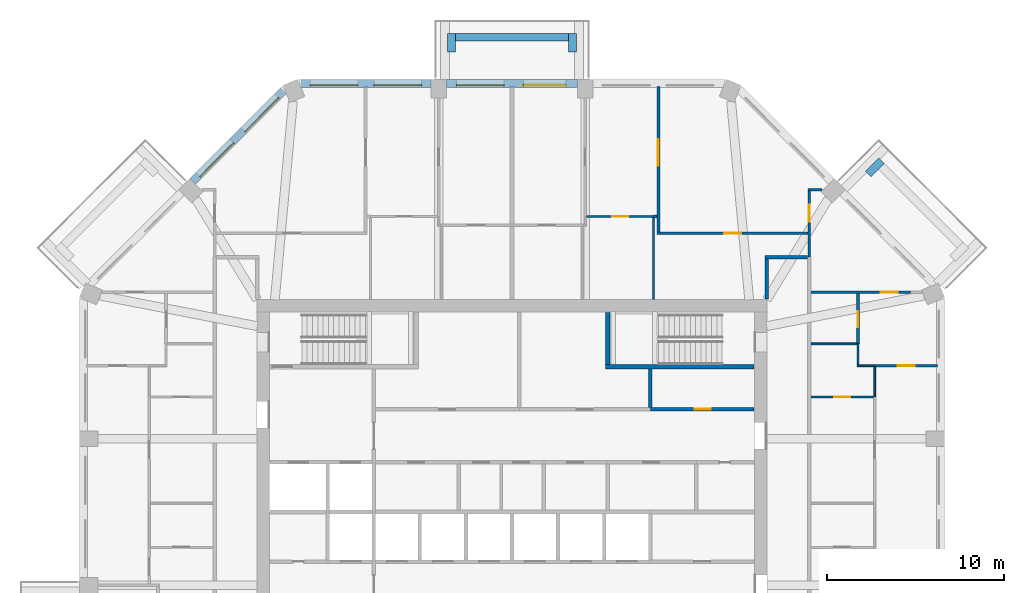
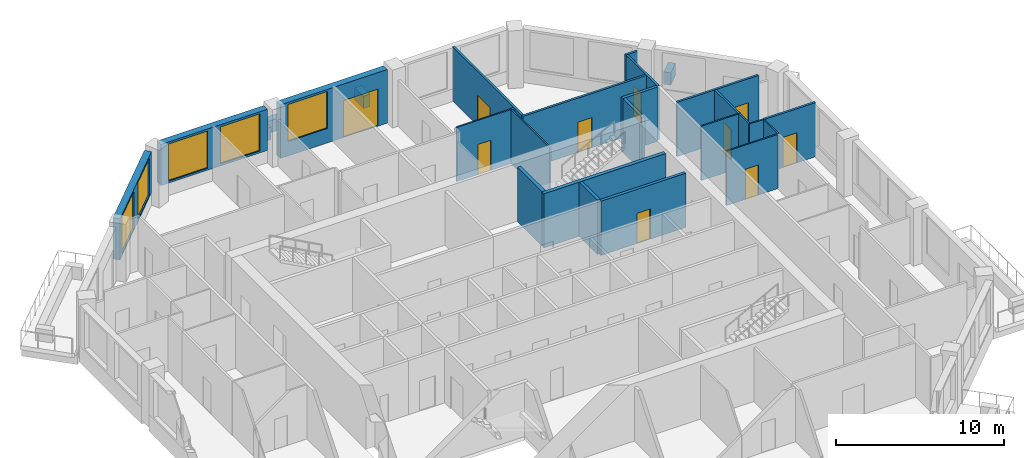
# One storey, part 8 of 10: 28 walls, 10 doors, 5 windows, 15 openings.
"""IFC4 building model written with IfcOpenShell, lengths in metres."""

from ifc_helpers import new_model, si_unit, direction, frame, frame_2d, origin, place, context, subcontext, project, spatial, rectangle, extrude, material, layer, layer_set, type_object, element, fill, save


model = new_model("IFC4")

# Units and contexts
model_context = context("Model", 3, precision=1e-05, world=origin(), true_north=direction((0.0, 1.0)))
body_context = subcontext(model_context, "Body", "Model", "MODEL_VIEW")
ifc_project = project(units=[si_unit("LENGTHUNIT", "METRE"), si_unit("AREAUNIT", "SQUARE_METRE"), si_unit("VOLUMEUNIT", "CUBIC_METRE"), si_unit("PLANEANGLEUNIT", "RADIAN"), si_unit("MASSUNIT", "GRAM", prefix="KILO")], contexts=[model_context])

# Site, building, storey
site_placement = place(None, origin())
site = spatial("IfcSite", under=ifc_project, at=site_placement, CompositionType="ELEMENT")
building_placement = place(site_placement, origin())
building = spatial("IfcBuilding", under=site, at=building_placement, Name="Msitu Wima Residences", CompositionType="ELEMENT")
storey_placement = place(building_placement, frame((0.0, 0.0, 187.5)))
storey = spatial("IfcBuildingStorey", under=building, at=storey_placement, Name="L43", CompositionType="ELEMENT", Elevation=187.5)

# Walls
ifc_material_1 = material(Name="Facing brick")
ifc_layer_1 = layer(ifc_material_1, 0.06494140625, Name="Facing brick")
ifc_material_2 = material(Name="Concrete C40/50", Category="concrete")
ifc_layer_2 = layer(ifc_material_2, 0.156005859375, Name="Concrete C40/50")
ifc_material_3 = material(Name="Waterproofing membrane")
ifc_layer_3 = layer(ifc_material_3, 0.00390625, Name="Waterproofing membrane")
ifc_material_4 = material(Name="Planting soil and planting")
ifc_layer_4 = layer(ifc_material_4, 0.22509765625, Name="Planting soil and planting")
ifc_layer_set_1 = layer_set([ifc_layer_1, ifc_layer_2, ifc_layer_3, ifc_layer_4], Name="Concrete C40/50")
wall_type_1 = type_object("IfcWallType", Name="Balcony planter PLANTER PL450", PredefinedType="USERDEFINED", material=ifc_layer_set_1)
wall_1_placement = place(storey_placement, frame((20.1328125, 19.107421875, 0.0), z_axis=(0.0, 0.0, 1.0), x_axis=(0.707106781187, 0.707106781187, 0.0)))
element("IfcWall", 1, at=wall_1_placement, inside=storey, type_object=wall_type_1, Name="Balcony planter NE0 L43", ObjectType="PLANTER", PredefinedType="USERDEFINED", context=body_context, shape_type="SweptSolid", body=[
    extrude(rectangle(XDim=1.050048828125, YDim=0.449951171875, at=frame_2d((0.52490234375, 0.0))), origin(), (0.0, 0.0, 1.0), 0.89990234375),
])
wall_2_placement = place(storey_placement, frame((3.187255859375, 26.824951171875, 0.0), z_axis=(0.0, 0.0, 1.0), x_axis=(-1.0, 0.0, 0.0)))
element("IfcWall", 2, at=wall_2_placement, inside=storey, type_object=wall_type_1, Name="Balcony planter N1 L43", ObjectType="PLANTER", PredefinedType="USERDEFINED", context=body_context, shape_type="SweptSolid", body=[
    extrude(rectangle(XDim=6.37451171875, YDim=0.449951171875, at=frame_2d((3.187255859375, 0.0))), origin(), (0.0, 0.0, 1.0), 0.89990234375),
])
for number, where, z_axis, x_axis, name in (
    (3, (3.412353515625, 26.0, 0.0), (0.0, 0.0, 1.0), (0.0, 1.0, 0.0), "Balcony planter N1 L43"),
    (4, (-3.412353515625, 26.0, 0.0), (0.0, 0.0, 1.0), (0.0, 1.0, 0.0), "Balcony planter N1 L43"),
):
    element("IfcWall", number, at=place(storey_placement, frame(where, z_axis=z_axis, x_axis=x_axis)), inside=storey, type_object=wall_type_1, Name=name, ObjectType="PLANTER", PredefinedType="USERDEFINED", context=body_context, shape_type="SweptSolid", body=[
        extrude(rectangle(XDim=1.050048828125, YDim=0.449951171875, at=frame_2d((0.52490234375, 0.0))), origin(), (0.0, 0.0, 1.0), 0.89990234375),
    ])

# Wall, openings, door, window
ifc_material_5 = material(Name="Brick (red buff mix)", Category="masonry")
ifc_layer_5 = layer(ifc_material_5, 0.449951171875)
ifc_layer_set_2 = layer_set([ifc_layer_5], Name="Brick (red buff mix)")
wall_type_2 = type_object("IfcWallType", Name="Brick infill wall BW450", PredefinedType="SOLIDWALL", material=ifc_layer_set_2)
wall_3_placement = place(storey_placement, frame((3.687255859375, 24.22509765625, 0.0), z_axis=(0.0, 0.0, 1.0), x_axis=(-1.0, 0.0, 0.0)))
wall_3 = element("IfcWall", 5, at=wall_3_placement, inside=storey, type_object=wall_type_2, Name="Brick infill wall L43 N1", PredefinedType="SOLIDWALL", context=body_context, shape_type="SweptSolid", body=[
    extrude(rectangle(XDim=7.37451171875, YDim=0.449951171875, at=frame_2d((3.687255859375, 0.0))), origin(), (0.0, 0.0, 1.0), 3.89990234375),
])
opening_1_placement = place(wall_3_placement, frame((0.6435546875, 0.0, 0.0)))
opening_1 = element("IfcOpeningElement", 6, at=opening_1_placement, cuts=wall_3, Name="Opening D43-45.002", PredefinedType="OPENING", context=body_context, shape_type="SweptSolid", body=[
    extrude(rectangle(XDim=2.39990234375, YDim=2.699951171875, at=frame_2d((1.199951171875, 1.35009765625))), frame((0.0, 0.23486328125, 0.0), z_axis=(0.0, -1.0, 0.0), x_axis=(1.0, 0.0, 0.0)), (0.0, 0.0, 1.0), 0.469970703125),
])
opening_2_placement = place(wall_3_placement, frame((4.13720703125, 0.0, 1.050048828125)))
opening_2 = element("IfcOpeningElement", 7, at=opening_2_placement, cuts=wall_3, Name="Opening W43-45.008", PredefinedType="OPENING", context=body_context, shape_type="SweptSolid", body=[
    extrude(rectangle(XDim=2.699951171875, YDim=2.699951171875, at=frame_2d((1.35009765625, 1.35009765625))), frame((0.0, 0.23486328125, 0.0), z_axis=(0.0, -1.0, 0.0), x_axis=(1.0, 0.0, 0.0)), (0.0, 0.0, 1.0), 0.469970703125),
])
ifc_material_6 = material(Name="Anodised aluminium, bronze finish, clear low-emissivity double glazing", Category="aluminium")
door_type_1 = type_object("IfcDoorType", Name="Balcony door D2400x2700", OperationType="SLIDING_TO_LEFT", PredefinedType="DOOR", material=ifc_material_6)
door_1_placement = place(opening_1_placement, origin())
door_1 = element("IfcDoor", 8, at=door_1_placement, inside=storey, type_object=door_type_1, Name="Balcony door L43 N1", OperationType="SINGLE_SWING_LEFT", OverallHeight=2.699951171875, OverallWidth=2.39990234375, PredefinedType="DOOR", context=body_context, shape_type="SweptSolid", body=[
    extrude(rectangle(XDim=2.39990234375, YDim=2.699951171875, at=frame_2d((1.199951171875, 1.35009765625))), frame((0.0, 0.1298828125, 0.0), z_axis=(0.0, -1.0, 0.0), x_axis=(1.0, 0.0, 0.0)), (0.0, 0.0, 1.0), 0.050048828125),
])
fill(opening_1, door_1)
window_type = type_object("IfcWindowType", Name="Window W2700x2700", PartitioningType="DOUBLE_PANEL_VERTICAL", PredefinedType="WINDOW", material=ifc_material_6)
window_1_placement = place(opening_2_placement, origin())
window_1 = element("IfcWindow", 9, at=window_1_placement, inside=storey, type_object=window_type, Name="Window L43 N1.2", OverallHeight=2.699951171875, OverallWidth=2.699951171875, PartitioningType="SINGLE_PANEL", PredefinedType="WINDOW", context=body_context, shape_type="SweptSolid", body=[
    extrude(rectangle(XDim=2.699951171875, YDim=2.699951171875, at=frame_2d((1.35009765625, 1.35009765625))), frame((0.0, 0.135009765625, 0.0), z_axis=(0.0, -1.0, 0.0), x_axis=(1.0, 0.0, 0.0)), (0.0, 0.0, 1.0), 0.06005859375),
])
fill(opening_2, window_1)

# Wall, openings, windows
wall_4_placement = place(storey_placement, frame((-4.587158203125, 24.22509765625, 0.89990234375), z_axis=(0.0, 0.0, 1.0), x_axis=(-1.0, 0.0, 0.0)))
wall_4 = element("IfcWall", 10, at=wall_4_placement, inside=storey, type_object=wall_type_2, Name="Brick infill wall L43 N2", PredefinedType="SOLIDWALL", context=body_context, shape_type="SweptSolid", body=[
    extrude(rectangle(XDim=7.337646484375, YDim=0.449951171875, at=frame_2d((3.6689453125, 0.0))), origin(), (0.0, 0.0, 1.0), 3.0),
])
opening_3_placement = place(wall_4_placement, frame((0.518798828125, 0.0, 0.14990234375)))
opening_3 = element("IfcOpeningElement", 11, at=opening_3_placement, cuts=wall_4, Name="Opening W43-45.009", PredefinedType="OPENING", context=body_context, shape_type="SweptSolid", body=[
    extrude(rectangle(XDim=2.699951171875, YDim=2.699951171875, at=frame_2d((1.35009765625, 1.35009765625))), frame((0.0, 0.23486328125, 0.0), z_axis=(0.0, -1.0, 0.0), x_axis=(1.0, 0.0, 0.0)), (0.0, 0.0, 1.0), 0.469970703125),
])
opening_4_placement = place(wall_4_placement, frame((4.11865234375, 0.0, 0.14990234375)))
opening_4 = element("IfcOpeningElement", 12, at=opening_4_placement, cuts=wall_4, Name="Opening W43-45.010", PredefinedType="OPENING", context=body_context, shape_type="SweptSolid", body=[
    extrude(rectangle(XDim=2.699951171875, YDim=2.699951171875, at=frame_2d((1.35009765625, 1.35009765625))), frame((0.0, 0.23486328125, 0.0), z_axis=(0.0, -1.0, 0.0), x_axis=(1.0, 0.0, 0.0)), (0.0, 0.0, 1.0), 0.469970703125),
])
window_2_placement = place(opening_3_placement, origin())
window_2 = element("IfcWindow", 13, at=window_2_placement, inside=storey, type_object=window_type, Name="Window L43 N2.1", OverallHeight=2.699951171875, OverallWidth=2.699951171875, PartitioningType="SINGLE_PANEL", PredefinedType="WINDOW", context=body_context, shape_type="SweptSolid", body=[
    extrude(rectangle(XDim=2.699951171875, YDim=2.699951171875, at=frame_2d((1.35009765625, 1.35009765625))), frame((0.0, 0.135009765625, 0.0), z_axis=(0.0, -1.0, 0.0), x_axis=(1.0, 0.0, 0.0)), (0.0, 0.0, 1.0), 0.06005859375),
])
fill(opening_3, window_2)
window_3_placement = place(opening_4_placement, origin())
window_3 = element("IfcWindow", 14, at=window_3_placement, inside=storey, type_object=window_type, Name="Window L43 N2.2", OverallHeight=2.699951171875, OverallWidth=2.699951171875, PartitioningType="SINGLE_PANEL", PredefinedType="WINDOW", context=body_context, shape_type="SweptSolid", body=[
    extrude(rectangle(XDim=2.699951171875, YDim=2.699951171875, at=frame_2d((1.35009765625, 1.35009765625))), frame((0.0, 0.135009765625, 0.0), z_axis=(0.0, -1.0, 0.0), x_axis=(1.0, 0.0, 0.0)), (0.0, 0.0, 1.0), 0.06005859375),
])
fill(opening_4, window_3)

wall_5_placement = place(storey_placement, frame((-12.915283203125, 23.814697265625, 0.89990234375), z_axis=(0.0, 0.0, 1.0), x_axis=(-0.707106781187, -0.707106781187, 0.0)))
wall_5 = element("IfcWall", 15, at=wall_5_placement, inside=storey, type_object=wall_type_2, Name="Brick infill wall L43 NW0", PredefinedType="SOLIDWALL", context=body_context, shape_type="SweptSolid", body=[
    extrude(rectangle(XDim=7.257080078125, YDim=0.449951171875, at=frame_2d((3.62841796875, 0.0))), origin(), (0.0, 0.0, 1.0), 3.0),
])
opening_5_placement = place(wall_5_placement, frame((0.478515625, 0.0, 0.14990234375)))
opening_5 = element("IfcOpeningElement", 16, at=opening_5_placement, cuts=wall_5, Name="Opening W43-45.014", PredefinedType="OPENING", context=body_context, shape_type="SweptSolid", body=[
    extrude(rectangle(XDim=2.699951171875, YDim=2.699951171875, at=frame_2d((1.35009765625, 1.35009765625))), frame((0.0, 0.23486328125, 0.0), z_axis=(0.0, -1.0, 0.0), x_axis=(1.0, 0.0, 0.0)), (0.0, 0.0, 1.0), 0.469970703125),
])
opening_6_placement = place(wall_5_placement, frame((4.07861328125, 0.0, 0.14990234375)))
opening_6 = element("IfcOpeningElement", 17, at=opening_6_placement, cuts=wall_5, Name="Opening W43-45.015", PredefinedType="OPENING", context=body_context, shape_type="SweptSolid", body=[
    extrude(rectangle(XDim=2.699951171875, YDim=2.699951171875, at=frame_2d((1.35009765625, 1.35009765625))), frame((0.0, 0.23486328125, 0.0), z_axis=(0.0, -1.0, 0.0), x_axis=(1.0, 0.0, 0.0)), (0.0, 0.0, 1.0), 0.469970703125),
])
window_4_placement = place(opening_5_placement, origin())
window_4 = element("IfcWindow", 18, at=window_4_placement, inside=storey, type_object=window_type, Name="Window L43 NW0.1", OverallHeight=2.699951171875, OverallWidth=2.699951171875, PartitioningType="SINGLE_PANEL", PredefinedType="WINDOW", context=body_context, shape_type="SweptSolid", body=[
    extrude(rectangle(XDim=2.699951171875, YDim=2.699951171875, at=frame_2d((1.35009765625, 1.35009765625))), frame((0.0, 0.135009765625, 0.0), z_axis=(0.0, -1.0, 0.0), x_axis=(1.0, 0.0, 0.0)), (0.0, 0.0, 1.0), 0.06005859375),
])
fill(opening_5, window_4)
window_5_placement = place(opening_6_placement, origin())
window_5 = element("IfcWindow", 19, at=window_5_placement, inside=storey, type_object=window_type, Name="Window L43 NW0.2", OverallHeight=2.699951171875, OverallWidth=2.699951171875, PartitioningType="SINGLE_PANEL", PredefinedType="WINDOW", context=body_context, shape_type="SweptSolid", body=[
    extrude(rectangle(XDim=2.699951171875, YDim=2.699951171875, at=frame_2d((1.35009765625, 1.35009765625))), frame((0.0, 0.135009765625, 0.0), z_axis=(0.0, -1.0, 0.0), x_axis=(1.0, 0.0, 0.0)), (0.0, 0.0, 1.0), 0.06005859375),
])
fill(opening_6, window_5)

# Wall, opening, door
ifc_material_7 = material(Name="Plaster")
ifc_layer_6 = layer(ifc_material_7, 0.011962890625, Name="Plaster")
ifc_material_8 = material(Name="Concrete blockwork", Category="masonry")
ifc_layer_7 = layer(ifc_material_8, 0.176025390625, Name="Concrete blockwork")
ifc_layer_8 = layer(ifc_material_7, 0.011962890625, Name="Plaster")
ifc_layer_set_3 = layer_set([ifc_layer_6, ifc_layer_7, ifc_layer_8], Name="Concrete blockwork")
wall_type_3 = type_object("IfcWallType", Name="Corridor wall FW200", PredefinedType="PARTITIONING", material=ifc_layer_set_3)
wall_6_placement = place(storey_placement, frame((7.820068359375, 5.800048828125, 0.0), z_axis=(0.0, 0.0, 1.0), x_axis=(1.0, 0.0, 0.0)))
wall_6 = element("IfcWall", 20, at=wall_6_placement, inside=storey, type_object=wall_type_3, Name="Corridor wall", PredefinedType="PARTITIONING", context=body_context, shape_type="SweptSolid", body=[
    extrude(rectangle(XDim=5.849853515625, YDim=0.199951171875, at=frame_2d((2.9248046875, 0.0))), origin(), (0.0, 0.0, 1.0), 3.949951171875),
])
opening_7_placement = place(wall_6_placement, frame((2.5, 0.0, 0.0)))
opening_7 = element("IfcOpeningElement", 21, at=opening_7_placement, cuts=wall_6, Name="Opening D43-45.057", PredefinedType="OPENING", context=body_context, shape_type="SweptSolid", body=[
    extrude(rectangle(XDim=0.89990234375, YDim=2.199951171875, at=frame_2d((0.449951171875, 1.10009765625))), frame((0.0, 0.10986328125, 0.0), z_axis=(0.0, -1.0, 0.0), x_axis=(1.0, 0.0, 0.0)), (0.0, 0.0, 1.0), 0.219970703125),
])
ifc_material_9 = material(Name="Timber flush door", Category="wood")
door_type_2 = type_object("IfcDoorType", Name="Service door D05 900x2200", OperationType="SINGLE_SWING_LEFT", PredefinedType="DOOR", material=ifc_material_9)
door_2_placement = place(opening_7_placement, origin())
door_2 = element("IfcDoor", 22, at=door_2_placement, inside=storey, type_object=door_type_2, Name="Service door", OperationType="SINGLE_SWING_LEFT", OverallHeight=2.199951171875, OverallWidth=0.89990234375, PredefinedType="DOOR", context=body_context, shape_type="SweptSolid", body=[
    extrude(rectangle(XDim=0.89990234375, YDim=2.199951171875, at=frame_2d((0.449951171875, 1.10009765625))), frame((0.0, 0.02490234375, 0.0), z_axis=(0.0, -1.0, 0.0), x_axis=(1.0, 0.0, 0.0)), (0.0, 0.0, 1.0), 0.050048828125),
])
fill(opening_7, door_2)

# Walls
wall_7_placement = place(storey_placement, frame((14.39990234375, 12.030029296875, 0.0), z_axis=(0.0, 0.0, 1.0), x_axis=(0.0, 1.0, 0.0)))
element("IfcWall", 23, at=wall_7_placement, inside=storey, type_object=wall_type_3, Name="Corridor wall", PredefinedType="PARTITIONING", context=body_context, shape_type="SweptSolid", body=[
    extrude(rectangle(XDim=2.27001953125, YDim=0.199951171875, at=frame_2d((1.135009765625, 0.0))), origin(), (0.0, 0.0, 1.0), 3.949951171875),
])
wall_8_placement = place(storey_placement, frame((14.300048828125, 14.39990234375, 0.0), z_axis=(0.0, 0.0, 1.0), x_axis=(1.0, 0.0, 0.0)))
element("IfcWall", 24, at=wall_8_placement, inside=storey, type_object=wall_type_3, Name="Corridor wall", PredefinedType="PARTITIONING", context=body_context, shape_type="SweptSolid", body=[
    extrude(rectangle(XDim=2.39990234375, YDim=0.199951171875, at=frame_2d((1.199951171875, 0.0))), origin(), (0.0, 0.0, 1.0), 3.949951171875),
])
ifc_layer_9 = layer(ifc_material_7, 0.011962890625, Name="Plaster")
ifc_layer_10 = layer(ifc_material_8, 0.1259765625, Name="Concrete blockwork")
ifc_layer_11 = layer(ifc_material_7, 0.011962890625, Name="Plaster")
ifc_layer_set_4 = layer_set([ifc_layer_9, ifc_layer_10, ifc_layer_11], Name="Concrete blockwork")
wall_type_4 = type_object("IfcWallType", Name="Partition PW150", PredefinedType="PARTITIONING", material=ifc_layer_set_4)
wall_9_placement = place(storey_placement, frame((8.0, 16.699951171875, 0.0), z_axis=(0.0, 0.0, 1.0), x_axis=(1.0, 0.0, 0.0)))
element("IfcWall", 25, at=wall_9_placement, inside=storey, type_object=wall_type_4, Name="Partition", PredefinedType="PARTITIONING", context=body_context, shape_type="SweptSolid", body=[
    extrude(rectangle(XDim=0.199462890625, YDim=0.14990234375, at=frame_2d((0.099609375, 0.0))), origin(), (0.0, 0.0, 1.0), 3.949951171875),
])

# Wall, opening, door
wall_10_placement = place(storey_placement, frame((8.2744140625, 15.824951171875, 0.0), z_axis=(0.0, 0.0, 1.0), x_axis=(0.0, 1.0, 0.0)))
wall_10 = element("IfcWall", 26, at=wall_10_placement, inside=storey, type_object=wall_type_4, Name="Partition", PredefinedType="PARTITIONING", context=body_context, shape_type="SweptSolid", body=[
    extrude(rectangle(XDim=8.22998046875, YDim=0.14990234375, at=frame_2d((4.114990234375, 0.0))), origin(), (0.0, 0.0, 1.0), 3.949951171875),
])
opening_8_placement = place(wall_10_placement, frame((3.75, 0.0, 0.0)))
opening_8 = element("IfcOpeningElement", 27, at=opening_8_placement, cuts=wall_10, Name="Opening D43-45.015", PredefinedType="OPENING", context=body_context, shape_type="SweptSolid", body=[
    extrude(rectangle(XDim=1.5, YDim=2.199951171875, at=frame_2d((0.75, 1.10009765625))), frame((0.0, 0.0849609375, 0.0), z_axis=(0.0, -1.0, 0.0), x_axis=(1.0, 0.0, 0.0)), (0.0, 0.0, 1.0), 0.169921875),
])
ifc_material_10 = material(Name="Timber double door", Category="wood")
door_type_3 = type_object("IfcDoorType", Name="Double door D04 1500x2200", OperationType="DOUBLE_DOOR_SINGLE_SWING", PredefinedType="DOOR", material=ifc_material_10)
door_3_placement = place(opening_8_placement, origin())
door_3 = element("IfcDoor", 28, at=door_3_placement, inside=storey, type_object=door_type_3, Name="Double door", OperationType="DOUBLE_DOOR_SINGLE_SWING", OverallHeight=2.199951171875, OverallWidth=1.5, PredefinedType="DOOR", context=body_context, shape_type="SweptSolid", body=[
    extrude(rectangle(XDim=1.5, YDim=2.199951171875, at=frame_2d((0.75, 1.10009765625))), frame((0.0, 0.02490234375, 0.0), z_axis=(0.0, -1.0, 0.0), x_axis=(1.0, 0.0, 0.0)), (0.0, 0.0, 1.0), 0.050048828125),
])
fill(opening_8, door_3)

wall_11_placement = place(storey_placement, frame((8.199462890625, 15.75, 0.0), z_axis=(0.0, 0.0, 1.0), x_axis=(1.0, 0.0, 0.0)))
wall_11 = element("IfcWall", 29, at=wall_11_placement, inside=storey, type_object=wall_type_4, Name="Partition", PredefinedType="PARTITIONING", context=body_context, shape_type="SweptSolid", body=[
    extrude(rectangle(XDim=8.525634765625, YDim=0.14990234375, at=frame_2d((4.2626953125, 0.0))), origin(), (0.0, 0.0, 1.0), 3.949951171875),
])
opening_9_placement = place(wall_11_placement, frame((3.800048828125, 0.0, 0.0)))
opening_9 = element("IfcOpeningElement", 30, at=opening_9_placement, cuts=wall_11, Name="Opening D43-45.014", PredefinedType="OPENING", context=body_context, shape_type="SweptSolid", body=[
    extrude(rectangle(XDim=0.949951171875, YDim=2.199951171875, at=frame_2d((0.47509765625, 1.10009765625))), frame((0.0, 0.0849609375, 0.0), z_axis=(0.0, -1.0, 0.0), x_axis=(1.0, 0.0, 0.0)), (0.0, 0.0, 1.0), 0.169921875),
])
door_type_4 = type_object("IfcDoorType", Name="Room door D12 950x2200", OperationType="SINGLE_SWING_LEFT", PredefinedType="DOOR", material=ifc_material_9)
door_4_placement = place(opening_9_placement, origin())
door_4 = element("IfcDoor", 31, at=door_4_placement, inside=storey, type_object=door_type_4, Name="Room door", OperationType="SINGLE_SWING_RIGHT", OverallHeight=2.199951171875, OverallWidth=0.949951171875, PredefinedType="DOOR", context=body_context, shape_type="SweptSolid", body=[
    extrude(rectangle(XDim=0.949951171875, YDim=2.199951171875, at=frame_2d((0.47509765625, 1.10009765625))), frame((0.0, 0.02490234375, 0.0), z_axis=(0.0, -1.0, 0.0), x_axis=(1.0, 0.0, 0.0)), (0.0, 0.0, 1.0), 0.050048828125),
])
fill(opening_9, door_4)

wall_12_placement = place(storey_placement, frame((16.89990234375, 12.409912109375, 0.0), z_axis=(0.0, 0.0, 1.0), x_axis=(1.0, 0.0, 0.0)))
wall_12 = element("IfcWall", 32, at=wall_12_placement, inside=storey, type_object=wall_type_4, Name="Partition", PredefinedType="PARTITIONING", context=body_context, shape_type="SweptSolid", body=[
    extrude(rectangle(XDim=5.62939453125, YDim=0.14990234375, at=frame_2d((2.814697265625, 0.0))), origin(), (0.0, 0.0, 1.0), 3.949951171875),
])
opening_10_placement = place(wall_12_placement, frame((3.949951171875, 0.0, 0.0)))
opening_10 = element("IfcOpeningElement", 33, at=opening_10_placement, cuts=wall_12, Name="Opening D43-45.025", PredefinedType="OPENING", context=body_context, shape_type="SweptSolid", body=[
    extrude(rectangle(XDim=0.949951171875, YDim=2.199951171875, at=frame_2d((0.47509765625, 1.10009765625))), frame((0.0, 0.0849609375, 0.0), z_axis=(0.0, -1.0, 0.0), x_axis=(1.0, 0.0, 0.0)), (0.0, 0.0, 1.0), 0.169921875),
])
door_5_placement = place(opening_10_placement, origin())
door_5 = element("IfcDoor", 34, at=door_5_placement, inside=storey, type_object=door_type_4, Name="Room door", OperationType="SINGLE_SWING_RIGHT", OverallHeight=2.199951171875, OverallWidth=0.949951171875, PredefinedType="DOOR", context=body_context, shape_type="SweptSolid", body=[
    extrude(rectangle(XDim=0.949951171875, YDim=2.199951171875, at=frame_2d((0.47509765625, 1.10009765625))), frame((0.0, 0.02490234375, 0.0), z_axis=(0.0, -1.0, 0.0), x_axis=(1.0, 0.0, 0.0)), (0.0, 0.0, 1.0), 0.050048828125),
])
fill(opening_10, door_5)

wall_13_placement = place(storey_placement, frame((16.800048828125, 14.39990234375, 0.0), z_axis=(0.0, 0.0, 1.0), x_axis=(0.0, 1.0, 0.0)))
wall_13 = element("IfcWall", 35, at=wall_13_placement, inside=storey, type_object=wall_type_4, Name="Partition", PredefinedType="PARTITIONING", context=body_context, shape_type="SweptSolid", body=[
    extrude(rectangle(XDim=3.73095703125, YDim=0.14990234375, at=frame_2d((1.865478515625, 0.0))), origin(), (0.0, 0.0, 1.0), 3.949951171875),
])
opening_11_placement = place(wall_13_placement, frame((2.0, 0.0, 0.0)))
opening_11 = element("IfcOpeningElement", 36, at=opening_11_placement, cuts=wall_13, Name="Opening D43-45.028", PredefinedType="OPENING", context=body_context, shape_type="SweptSolid", body=[
    extrude(rectangle(XDim=0.949951171875, YDim=2.199951171875, at=frame_2d((0.47509765625, 1.10009765625))), frame((0.0, 0.0849609375, 0.0), z_axis=(0.0, -1.0, 0.0), x_axis=(1.0, 0.0, 0.0)), (0.0, 0.0, 1.0), 0.169921875),
])
door_6_placement = place(opening_11_placement, origin())
door_6 = element("IfcDoor", 37, at=door_6_placement, inside=storey, type_object=door_type_4, Name="Room door", OperationType="SINGLE_SWING_LEFT", OverallHeight=2.199951171875, OverallWidth=0.949951171875, PredefinedType="DOOR", context=body_context, shape_type="SweptSolid", body=[
    extrude(rectangle(XDim=0.949951171875, YDim=2.199951171875, at=frame_2d((0.47509765625, 1.10009765625))), frame((0.0, 0.02490234375, 0.0), z_axis=(0.0, -1.0, 0.0), x_axis=(1.0, 0.0, 0.0)), (0.0, 0.0, 1.0), 0.050048828125),
])
fill(opening_11, door_6)

# Wall
wall_14_placement = place(storey_placement, frame((16.72509765625, 18.205810546875, 0.0), z_axis=(0.0, 0.0, 1.0), x_axis=(1.0, 0.0, 0.0)))
element("IfcWall", 38, at=wall_14_placement, inside=storey, type_object=wall_type_4, Name="Partition", PredefinedType="PARTITIONING", context=body_context, shape_type="SweptSolid", body=[
    extrude(rectangle(XDim=0.784423828125, YDim=0.14990234375, at=frame_2d((0.39208984375, 0.0))), origin(), (0.0, 0.0, 1.0), 3.949951171875),
])

# Wall, opening, door
wall_15_placement = place(storey_placement, frame((19.550048828125, 9.5, 0.0), z_axis=(0.0, 0.0, 1.0), x_axis=(0.0, 1.0, 0.0)))
wall_15 = element("IfcWall", 39, at=wall_15_placement, inside=storey, type_object=wall_type_4, Name="Partition", PredefinedType="PARTITIONING", context=body_context, shape_type="SweptSolid", body=[
    extrude(rectangle(XDim=2.8349609375, YDim=0.14990234375, at=frame_2d((1.41748046875, 0.0))), origin(), (0.0, 0.0, 1.0), 3.949951171875),
])
opening_12_placement = place(wall_15_placement, frame((0.949951171875, 0.0, 0.0)))
opening_12 = element("IfcOpeningElement", 40, at=opening_12_placement, cuts=wall_15, Name="Opening D43-45.012", PredefinedType="OPENING", context=body_context, shape_type="SweptSolid", body=[
    extrude(rectangle(XDim=0.89990234375, YDim=2.199951171875, at=frame_2d((0.449951171875, 1.10009765625))), frame((0.0, 0.0849609375, 0.0), z_axis=(0.0, -1.0, 0.0), x_axis=(1.0, 0.0, 0.0)), (0.0, 0.0, 1.0), 0.169921875),
])
door_7_placement = place(opening_12_placement, origin())
door_7 = element("IfcDoor", 41, at=door_7_placement, inside=storey, type_object=door_type_2, Name="Service door", OperationType="SINGLE_SWING_LEFT", OverallHeight=2.199951171875, OverallWidth=0.89990234375, PredefinedType="DOOR", context=body_context, shape_type="SweptSolid", body=[
    extrude(rectangle(XDim=0.89990234375, YDim=2.199951171875, at=frame_2d((0.449951171875, 1.10009765625))), frame((0.0, 0.02490234375, 0.0), z_axis=(0.0, -1.0, 0.0), x_axis=(1.0, 0.0, 0.0)), (0.0, 0.0, 1.0), 0.050048828125),
])
fill(opening_12, door_7)

wall_16_placement = place(storey_placement, frame((20.5, 8.27001953125, 0.0), z_axis=(0.0, 0.0, 1.0), x_axis=(1.0, 0.0, 0.0)))
wall_16 = element("IfcWall", 42, at=wall_16_placement, inside=storey, type_object=wall_type_4, Name="Partition", PredefinedType="PARTITIONING", context=body_context, shape_type="SweptSolid", body=[
    extrude(rectangle(XDim=3.554931640625, YDim=0.14990234375, at=frame_2d((1.77734375, 0.0))), origin(), (0.0, 0.0, 1.0), 3.949951171875),
])
opening_13_placement = place(wall_16_placement, frame((1.300048828125, 0.0, 0.0)))
opening_13 = element("IfcOpeningElement", 43, at=opening_13_placement, cuts=wall_16, Name="Opening D43-45.024", PredefinedType="OPENING", context=body_context, shape_type="SweptSolid", body=[
    extrude(rectangle(XDim=0.949951171875, YDim=2.199951171875, at=frame_2d((0.47509765625, 1.10009765625))), frame((0.0, 0.0849609375, 0.0), z_axis=(0.0, -1.0, 0.0), x_axis=(1.0, 0.0, 0.0)), (0.0, 0.0, 1.0), 0.169921875),
])
door_8_placement = place(opening_13_placement, origin())
door_8 = element("IfcDoor", 44, at=door_8_placement, inside=storey, type_object=door_type_4, Name="Room door", OperationType="SINGLE_SWING_RIGHT", OverallHeight=2.199951171875, OverallWidth=0.949951171875, PredefinedType="DOOR", context=body_context, shape_type="SweptSolid", body=[
    extrude(rectangle(XDim=0.949951171875, YDim=2.199951171875, at=frame_2d((0.47509765625, 1.10009765625))), frame((0.0, 0.02490234375, 0.0), z_axis=(0.0, -1.0, 0.0), x_axis=(1.0, 0.0, 0.0)), (0.0, 0.0, 1.0), 0.050048828125),
])
fill(opening_13, door_8)

# Walls
ifc_layer_12 = layer(ifc_material_7, 0.011962890625, Name="Plaster")
ifc_material_11 = material(Name="Reinforced concrete blockwork", Category="masonry")
ifc_layer_13 = layer(ifc_material_11, 0.176025390625, Name="Reinforced concrete blockwork")
ifc_layer_14 = layer(ifc_material_7, 0.011962890625, Name="Plaster")
ifc_layer_set_5 = layer_set([ifc_layer_12, ifc_layer_13, ifc_layer_14], Name="Reinforced concrete blockwork")
wall_type_5 = type_object("IfcWallType", Name="Plant and riser wall PL200", PredefinedType="PARTITIONING", material=ifc_layer_set_5)
wall_17_placement = place(storey_placement, frame((7.800048828125, 5.89990234375, 0.0), z_axis=(0.0, 0.0, 1.0), x_axis=(0.0, 1.0, 0.0)))
element("IfcWall", 45, at=wall_17_placement, inside=storey, type_object=wall_type_5, Name="Plant and riser wall", PredefinedType="PARTITIONING", context=body_context, shape_type="SweptSolid", body=[
    extrude(rectangle(XDim=2.175048828125, YDim=0.199951171875, at=frame_2d((1.08740234375, 0.0))), origin(), (0.0, 0.0, 1.0), 3.949951171875),
])
ifc_material_12 = material(Name="Concrete C50/60", Category="concrete")
ifc_layer_15 = layer(ifc_material_12, 0.25)
ifc_layer_set_6 = layer_set([ifc_layer_15], Name="Concrete C50/60")
wall_type_6 = type_object("IfcWallType", Name="Stair enclosure wall SW250", PredefinedType="SHEAR", material=ifc_layer_set_6)
wall_18_placement = place(storey_placement, frame((5.39990234375, 8.324951171875, 0.0), z_axis=(0.0, 0.0, 1.0), x_axis=(0.0, 1.0, 0.0)))
element("IfcWall", 46, at=wall_18_placement, inside=storey, type_object=wall_type_6, Name="Stair enclosure wall", PredefinedType="SHEAR", context=body_context, shape_type="SweptSolid", body=[
    extrude(rectangle(XDim=2.945068359375, YDim=0.25, at=frame_2d((1.47265625, 0.0))), origin(), (0.0, 0.0, 1.0), 3.949951171875),
])
wall_19_placement = place(storey_placement, frame((5.27490234375, 8.199951171875, 0.0), z_axis=(0.0, 0.0, 1.0), x_axis=(1.0, 0.0, 0.0)))
element("IfcWall", 47, at=wall_19_placement, inside=storey, type_object=wall_type_6, Name="Stair enclosure wall", PredefinedType="SHEAR", context=body_context, shape_type="SweptSolid", body=[
    extrude(rectangle(XDim=8.39501953125, YDim=0.25, at=frame_2d((4.197509765625, 0.0))), origin(), (0.0, 0.0, 1.0), 3.949951171875),
])

# Wall, opening, door
ifc_material_13 = material(Name="Ceramic tiles")
ifc_layer_16 = layer(ifc_material_13, 0.008056640625, Name="Ceramic tiles")
ifc_material_14 = material(Name="Moisture-resistant board")
ifc_layer_17 = layer(ifc_material_14, 0.012451171875, Name="Moisture-resistant board")
ifc_material_15 = material(Name="Light-gauge stud framing with mineral wool")
ifc_layer_18 = layer(ifc_material_15, 0.06689453125, Name="Light-gauge stud framing with mineral wool")
ifc_layer_19 = layer(ifc_material_14, 0.012451171875, Name="Moisture-resistant board")
ifc_layer_set_7 = layer_set([ifc_layer_16, ifc_layer_17, ifc_layer_18, ifc_layer_19], Name="Light-gauge stud framing with mineral wool")
wall_type_7 = type_object("IfcWallType", Name="Wet wall PW100", PredefinedType="PARTITIONING", material=ifc_layer_set_7)
wall_20_placement = place(storey_placement, frame((4.212158203125, 16.699951171875, 0.0), z_axis=(0.0, 0.0, 1.0), x_axis=(1.0, 0.0, 0.0)))
wall_20 = element("IfcWall", 48, at=wall_20_placement, inside=storey, type_object=wall_type_7, Name="Wet wall", PredefinedType="PARTITIONING", context=body_context, shape_type="SweptSolid", body=[
    extrude(rectangle(XDim=3.787841796875, YDim=0.10009765625, at=frame_2d((1.89404296875, 0.0))), origin(), (0.0, 0.0, 1.0), 3.949951171875),
])
opening_14_placement = place(wall_20_placement, frame((1.449951171875, 0.0, 0.0)))
opening_14 = element("IfcOpeningElement", 49, at=opening_14_placement, cuts=wall_20, Name="Opening D43-45.018", PredefinedType="OPENING", context=body_context, shape_type="SweptSolid", body=[
    extrude(rectangle(XDim=0.89990234375, YDim=2.199951171875, at=frame_2d((0.449951171875, 1.10009765625))), frame((0.0, 0.06005859375, 0.0), z_axis=(0.0, -1.0, 0.0), x_axis=(1.0, 0.0, 0.0)), (0.0, 0.0, 1.0), 0.1201171875),
])
ifc_material_16 = material(Name="Timber flush door, moisture resistant", Category="wood")
door_type_5 = type_object("IfcDoorType", Name="Bathroom door D03 900x2200", OperationType="SINGLE_SWING_LEFT", PredefinedType="DOOR", material=ifc_material_16)
door_9_placement = place(opening_14_placement, origin())
door_9 = element("IfcDoor", 50, at=door_9_placement, inside=storey, type_object=door_type_5, Name="Bathroom door", OperationType="SINGLE_SWING_LEFT", OverallHeight=2.199951171875, OverallWidth=0.89990234375, PredefinedType="DOOR", context=body_context, shape_type="SweptSolid", body=[
    extrude(rectangle(XDim=0.89990234375, YDim=2.199951171875, at=frame_2d((0.449951171875, 1.10009765625))), frame((0.0, 0.02490234375, 0.0), z_axis=(0.0, -1.0, 0.0), x_axis=(1.0, 0.0, 0.0)), (0.0, 0.0, 1.0), 0.050048828125),
])
fill(opening_14, door_9)

# Wall
wall_21_placement = place(storey_placement, frame((8.0, 12.030029296875, 0.0), z_axis=(0.0, 0.0, 1.0), x_axis=(0.0, 1.0, 0.0)))
element("IfcWall", 51, at=wall_21_placement, inside=storey, type_object=wall_type_7, Name="Wet wall", PredefinedType="PARTITIONING", context=body_context, shape_type="SweptSolid", body=[
    extrude(rectangle(XDim=4.594970703125, YDim=0.10009765625, at=frame_2d((2.29736328125, 0.0))), origin(), (0.0, 0.0, 1.0), 3.949951171875),
])

# Wall, opening, door
wall_22_placement = place(storey_placement, frame((16.89990234375, 6.5, 0.0), z_axis=(0.0, 0.0, 1.0), x_axis=(1.0, 0.0, 0.0)))
wall_22 = element("IfcWall", 52, at=wall_22_placement, inside=storey, type_object=wall_type_7, Name="Wet wall", PredefinedType="PARTITIONING", context=body_context, shape_type="SweptSolid", body=[
    extrude(rectangle(XDim=3.525146484375, YDim=0.10009765625, at=frame_2d((1.7626953125, 0.0))), origin(), (0.0, 0.0, 1.0), 3.949951171875),
])
opening_15_placement = place(wall_22_placement, frame((1.300048828125, 0.0, 0.0)))
opening_15 = element("IfcOpeningElement", 53, at=opening_15_placement, cuts=wall_22, Name="Opening D43-45.011", PredefinedType="OPENING", context=body_context, shape_type="SweptSolid", body=[
    extrude(rectangle(XDim=0.89990234375, YDim=2.199951171875, at=frame_2d((0.449951171875, 1.10009765625))), frame((0.0, 0.06005859375, 0.0), z_axis=(0.0, -1.0, 0.0), x_axis=(1.0, 0.0, 0.0)), (0.0, 0.0, 1.0), 0.1201171875),
])
door_10_placement = place(opening_15_placement, origin())
door_10 = element("IfcDoor", 54, at=door_10_placement, inside=storey, type_object=door_type_2, Name="Service door", OperationType="SINGLE_SWING_RIGHT", OverallHeight=2.199951171875, OverallWidth=0.89990234375, PredefinedType="DOOR", context=body_context, shape_type="SweptSolid", body=[
    extrude(rectangle(XDim=0.89990234375, YDim=2.199951171875, at=frame_2d((0.449951171875, 1.10009765625))), frame((0.0, 0.02490234375, 0.0), z_axis=(0.0, -1.0, 0.0), x_axis=(1.0, 0.0, 0.0)), (0.0, 0.0, 1.0), 0.050048828125),
])
fill(opening_15, door_10)

# Walls
wall_23_placement = place(storey_placement, frame((16.89990234375, 9.5, 0.0), z_axis=(0.0, 0.0, 1.0), x_axis=(1.0, 0.0, 0.0)))
element("IfcWall", 55, at=wall_23_placement, inside=storey, type_object=wall_type_7, Name="Wet wall", PredefinedType="PARTITIONING", context=body_context, shape_type="SweptSolid", body=[
    extrude(rectangle(XDim=2.5751953125, YDim=0.10009765625, at=frame_2d((1.28759765625, 0.0))), origin(), (0.0, 0.0, 1.0), 3.949951171875),
])
wall_24_placement = place(storey_placement, frame((19.550048828125, 8.320068359375, 0.0), z_axis=(0.0, 0.0, 1.0), x_axis=(0.0, 1.0, 0.0)))
element("IfcWall", 56, at=wall_24_placement, inside=storey, type_object=wall_type_7, Name="Wet wall", PredefinedType="PARTITIONING", context=body_context, shape_type="SweptSolid", body=[
    extrude(rectangle(XDim=1.179931640625, YDim=0.10009765625, at=frame_2d((0.58984375, 0.0))), origin(), (0.0, 0.0, 1.0), 3.949951171875),
])
wall_25_placement = place(storey_placement, frame((19.5, 8.27001953125, 0.0), z_axis=(0.0, 0.0, 1.0), x_axis=(1.0, 0.0, 0.0)))
element("IfcWall", 57, at=wall_25_placement, inside=storey, type_object=wall_type_7, Name="Wet wall", PredefinedType="PARTITIONING", context=body_context, shape_type="SweptSolid", body=[
    extrude(rectangle(XDim=1.0, YDim=0.10009765625, at=frame_2d((0.5, 0.0))), origin(), (0.0, 0.0, 1.0), 3.949951171875),
])
wall_26_placement = place(storey_placement, frame((20.5, 6.5, 0.0), z_axis=(0.0, 0.0, 1.0), x_axis=(0.0, 1.0, 0.0)))
element("IfcWall", 58, at=wall_26_placement, inside=storey, type_object=wall_type_7, Name="Wet wall", PredefinedType="PARTITIONING", context=body_context, shape_type="SweptSolid", body=[
    extrude(rectangle(XDim=1.695068359375, YDim=0.10009765625, at=frame_2d((0.84765625, 0.0))), origin(), (0.0, 0.0, 1.0), 3.949951171875),
])

save(model, "model.ifc")
